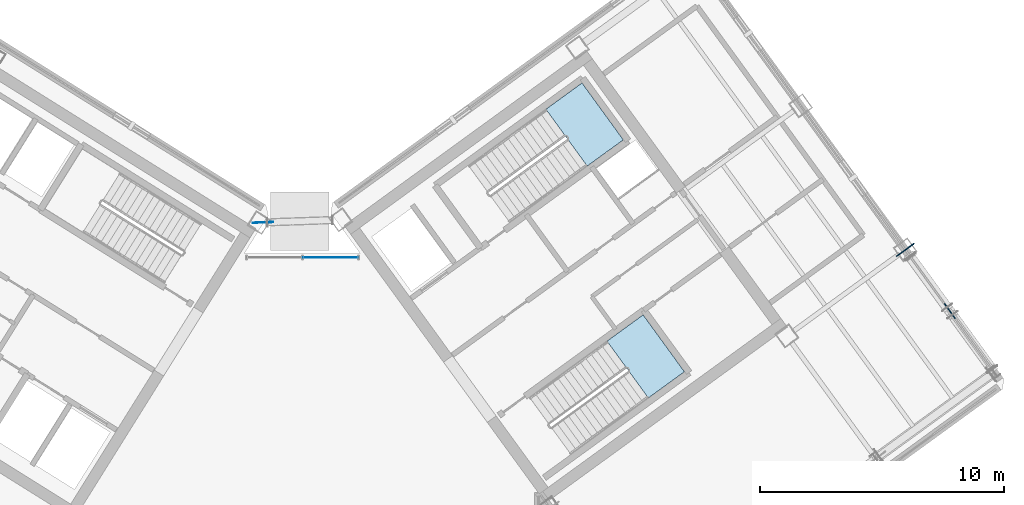
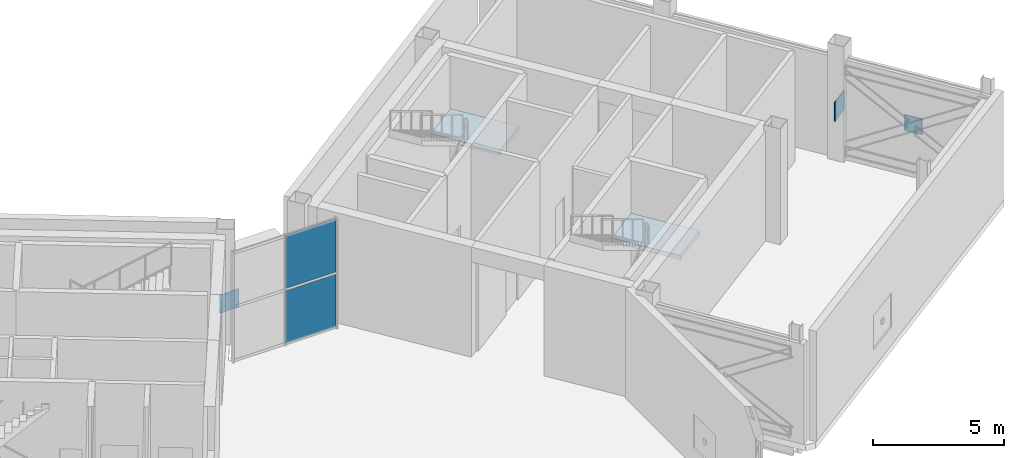
# One storey, part 17 of 32: 5 plates, 2 slabs, 3 elements without a shape of their own.
"""IFC4 building model written with IfcOpenShell, lengths in metres."""

from ifc_helpers import new_model, si_unit, direction, frame, origin, origin_2d, place, context, subcontext, project, spatial, polyline, rectangle, outline, extrude, source, transform, mapped, material, layer, layer_set, type_object, element, aggregate, save


model = new_model("IFC4")

# Units and contexts
model_context = context("Model", 3, precision=1e-05, world=origin(), true_north=direction((0.0, 1.0)))
body_context = subcontext(model_context, "Body", "Model", "MODEL_VIEW")
ifc_project = project(units=[si_unit("LENGTHUNIT", "METRE"), si_unit("AREAUNIT", "SQUARE_METRE"), si_unit("VOLUMEUNIT", "CUBIC_METRE"), si_unit("PLANEANGLEUNIT", "RADIAN"), si_unit("MASSUNIT", "GRAM", prefix="KILO")], contexts=[model_context])

# Site, building, storey
site_placement = place(None, origin())
site = spatial("IfcSite", under=ifc_project, at=site_placement, CompositionType="ELEMENT")
building_placement = place(site_placement, origin())
building = spatial("IfcBuilding", under=site, at=building_placement, Name="Tlacorven Tower", CompositionType="ELEMENT")
storey_placement = place(building_placement, frame((0.0, 0.0, 245.699951171875)))
storey = spatial("IfcBuildingStorey", under=building, at=storey_placement, Name="L62", CompositionType="ELEMENT", Elevation=245.699951171875)

# Stair, slab
ifc_material_1 = material(Name="Concrete C40/50", Category="concrete")
stair_type = type_object("IfcStairType", Name="ST-CORE-DLG", PredefinedType="HALF_TURN_STAIR", material=ifc_material_1)
stair_1_placement = place(storey_placement, origin())
stair_1 = element("IfcStair", 1, at=stair_1_placement, inside=storey, type_object=stair_type, Name="L62 Protected Exit Stair East 1", PredefinedType="HALF_TURN_STAIR")
ifc_layer_1 = layer(ifc_material_1, 0.199951171875)
ifc_layer_set_1 = layer_set([ifc_layer_1], Name="Concrete C40/50")
slab_type = type_object("IfcSlabType", Name="SL-LND-200", PredefinedType="LANDING", material=ifc_layer_set_1)
slab_1_placement = place(storey_placement, frame((0.0, 0.0, 2.5)))
slab_1 = element("IfcSlab", 2, at=slab_1_placement, type_object=slab_type, Name="ST-E1 landing 1", PredefinedType="LANDING", context=body_context, shape_type="SweptSolid", body=[
    extrude(outline(polyline([(54.230224609375, 26.785888671875), (55.7109375, 27.861572265625), (54.01806640625, 30.19140625), (52.53759765625, 29.11572265625), (54.230224609375, 26.785888671875)])), origin(), (0.0, 0.0, 1.0), 0.199951171875),
])
aggregate(stair_1, [slab_1])

stair_2_placement = place(storey_placement, origin())
stair_2 = element("IfcStair", 3, at=stair_2_placement, inside=storey, type_object=stair_type, Name="L62 Protected Exit Stair East 2", PredefinedType="HALF_TURN_STAIR")
slab_2_placement = place(storey_placement, frame((0.0, 0.0, 2.5)))
slab_2 = element("IfcSlab", 4, at=slab_2_placement, type_object=slab_type, Name="ST-E2 landing 1", PredefinedType="LANDING", context=body_context, shape_type="SweptSolid", body=[
    extrude(outline(polyline([(56.734375, 17.28271484375), (58.21484375, 18.3583984375), (56.52197265625, 20.6884765625), (55.04150390625, 19.61279296875), (56.734375, 17.28271484375)])), origin(), (0.0, 0.0, 1.0), 0.199951171875),
])
aggregate(stair_2, [slab_2])

# Plates
ifc_material_2 = material(Name="Steel S460M", Category="steel")
ifc_layer_2 = layer(ifc_material_2, 0.0400390625)
ifc_layer_set_2 = layer_set([ifc_layer_2], Name="Steel S460M")
plate_type_1 = type_object("IfcPlateType", Name="PL-NODE-ON1", PredefinedType="SHEET", material=ifc_layer_set_2)
shared_shape_1 = source(origin(), body_context, "Body", "SweptSolid", [
    extrude(rectangle(XDim=0.75, YDim=0.0400390625, at=origin_2d()), origin(), (0.0, 0.0, 1.0), 0.75),
])
plate_1_placement = place(storey_placement, frame((69.08984375, 20.845703125, 1.965087890625), z_axis=(0.0, 0.0, 1.0), x_axis=(-0.587785252292, 0.809016994375, 0.0)))
element("IfcPlate", 5, at=plate_1_placement, inside=storey, type_object=plate_type_1, Name="L62 Outrigger X-Brace Crossing Gusset Plate E2", PredefinedType="SHEET", context=body_context, shape_type="MappedRepresentation", body=[
    mapped(shared_shape_1, transform((0.0, 0.0, 0.0), scale=1.0)),
])
shared_shape_2 = source(origin(), body_context, "Body", "SweptSolid", [
    extrude(rectangle(XDim=0.89990234375, YDim=0.0400390625, at=origin_2d()), origin(), (0.0, 0.0, 1.0), 0.89990234375),
])
plate_2_placement = place(storey_placement, frame((67.267822265625, 23.353515625, 1.89013671875), z_axis=(0.0, 0.0, 1.0), x_axis=(0.809016994375, 0.587785252292, 0.0)))
element("IfcPlate", 6, at=plate_2_placement, inside=storey, type_object=plate_type_1, Name="L62 Outrigger Embedded Core Gusset Node Plate ON1", PredefinedType="SHEET", context=body_context, shape_type="MappedRepresentation", body=[
    mapped(shared_shape_2, transform((0.0, 0.0, 0.0), scale=1.0)),
])
ifc_material_3 = material(Name="Steel S355J2", Category="steel")
ifc_layer_3 = layer(ifc_material_3, 0.02587890625)
ifc_layer_set_3 = layer_set([ifc_layer_3], Name="Steel S355J2")
plate_type_2 = type_object("IfcPlateType", Name="PL-NODE-TN1", PredefinedType="SHEET", material=ifc_layer_set_3)
shared_shape_3 = source(origin(), body_context, "Body", "SweptSolid", [
    extrude(rectangle(XDim=0.85009765625, YDim=0.02587890625, at=origin_2d()), origin(), (0.0, 0.0, 1.0), 0.85009765625),
])
plate_3_placement = place(storey_placement, frame((40.94775390625, 24.47412109375, 1.324951171875), z_axis=(0.0, 0.0, 1.0), x_axis=(0.999390830306, 0.034899402564, 0.0)))
element("IfcPlate", 7, at=plate_3_placement, inside=storey, type_object=plate_type_2, Name="L62 structural node gusset plate TRB-L62-RING", PredefinedType="SHEET", context=body_context, shape_type="MappedRepresentation", body=[
    mapped(shared_shape_3, transform((0.0, 0.0, 0.0), scale=1.0)),
])

# Curtain wall, plates
ifc_material_4 = material(Name="Dark solar low-E double glazing in aluminium frame", Category="aluminium")
curtain_wall_type = type_object("IfcCurtainWallType", Name="CW-TWR-HIGH", PredefinedType="USERDEFINED", material=ifc_material_4)
curtain_wall_placement = place(storey_placement, origin())
curtain_wall = element("IfcCurtainWall", 8, at=curtain_wall_placement, inside=storey, type_object=curtain_wall_type, Name="L62 CW-TWR-HIGH Curtain Wall 289", ObjectType="UNITISED CURTAIN WALL", PredefinedType="USERDEFINED")
ifc_material_5 = material(Name="High-wind dark solar tempered low-E glazing", Category="glass")
ifc_layer_4 = layer(ifc_material_5, 0.028076171875)
ifc_layer_set_4 = layer_set([ifc_layer_4], Name="High-wind dark solar tempered low-E glazing")
plate_type_3 = type_object("IfcPlateType", Name="CWP-03", PredefinedType="CURTAIN_PANEL", material=ifc_layer_set_4)
shared_shape_4 = source(origin(), body_context, "Body", "SweptSolid", [
    extrude(rectangle(XDim=2.246337890625, YDim=0.028076171875, at=origin_2d()), origin(), (0.0, 0.0, 1.0), 2.472900390625),
])
plate_4_placement = place(storey_placement, frame((43.706298828125, 23.0400390625, 0.05126953125), z_axis=(0.0, 0.0, 1.0), x_axis=(1.0, 0.0, 0.0)))
plate_4 = element("IfcPlate", 9, at=plate_4_placement, type_object=plate_type_3, Name="CW-L62-289 Glazing Panel 3", PredefinedType="CURTAIN_PANEL", context=body_context, shape_type="MappedRepresentation", body=[
    mapped(shared_shape_4, transform((0.0, 0.0, 0.0), scale=1.0)),
])
plate_5_placement = place(storey_placement, frame((43.706298828125, 23.0400390625, 2.6259765625), z_axis=(0.0, 0.0, 1.0), x_axis=(1.0, 0.0, 0.0)))
plate_5 = element("IfcPlate", 10, at=plate_5_placement, type_object=plate_type_3, Name="CW-L62-289 Glazing Panel 4", PredefinedType="CURTAIN_PANEL", context=body_context, shape_type="MappedRepresentation", body=[
    mapped(shared_shape_4, transform((0.0, 0.0, 0.0), scale=1.0)),
])
aggregate(curtain_wall, [plate_4, plate_5])

save(model, "model.ifc")
